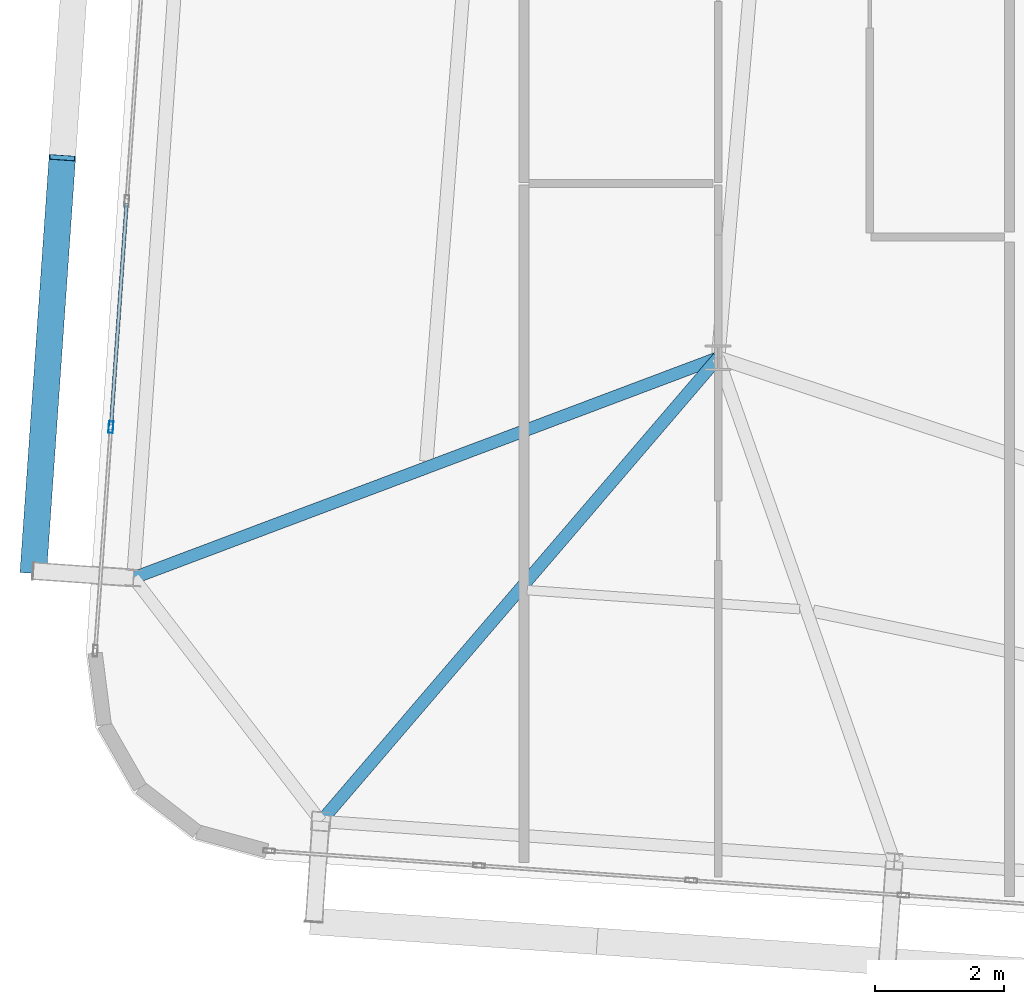
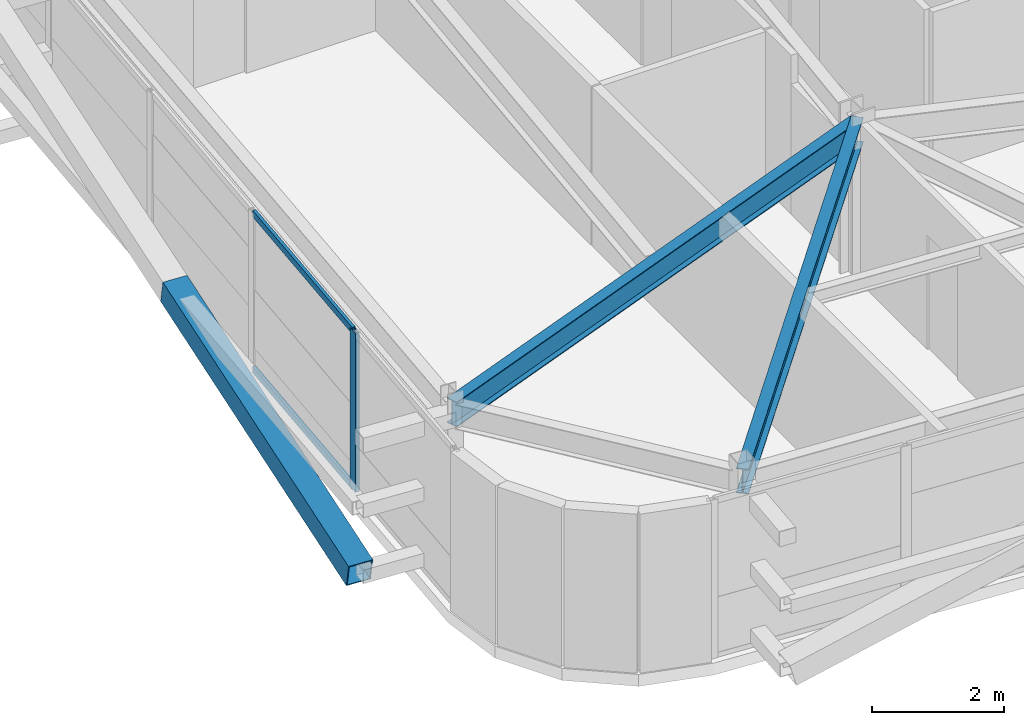
# One storey, part 8 of 47: 4 members, 2 beams, 1 element without a shape of its own.
"""IFC4 building model written with IfcOpenShell, lengths in metres."""

import ifcopenshell
import ifcopenshell.guid

model = None  # the IFC model being written
_history = None  # IfcOwnerHistory: only IFC2X3 demands one
_inside = {}  # id of a spatial element -> (the spatial element, [elements in it])
_under = {}  # id of a project, library or spatial element -> (it, [spatial elements below it])
_declared = {}  # id of a project -> (the project, [libraries it declares])
_typed = {}  # id of a type object -> (the type object, [elements of that type])
_made_of = {}  # id of a material, layer set ... -> (it, [elements and type objects made of it])


def new_model(schema):
    """Start an empty IFC model of exactly this schema.

    Asked for "IFC4X3", IfcOpenShell would pick the latest addendum, in which some entities
    have other attributes; the version numbers below select the first issue.
    IFC2X3 requires an IfcOwnerHistory on every rooted entity: one is made here for all.
    """
    global model, _history
    if schema == "IFC4X3":
        model = ifcopenshell.file(schema_version=(4, 3, 0, 0))
    else:
        model = ifcopenshell.file(schema=schema)
    _inside.clear()
    _under.clear()
    _declared.clear()
    _typed.clear()
    _made_of.clear()
    _history = None
    if model.schema == "IFC2X3":
        org = make("IfcOrganization", Name="unknown")
        user = make(
            "IfcPersonAndOrganization",
            ThePerson=make("IfcPerson", FamilyName="unknown"),
            TheOrganization=org,
        )
        app = make(
            "IfcApplication",
            ApplicationDeveloper=org,
            Version="unknown",
            ApplicationFullName="unknown",
            ApplicationIdentifier="unknown",
        )
        _history = make(
            "IfcOwnerHistory",
            OwningUser=user,
            OwningApplication=app,
            ChangeAction="ADDED",
            CreationDate=0,
        )
    return model


def make(cls, **values):
    """One entity of the class cls with the attributes given. An attribute that is None is left unset."""
    return model.create_entity(
        cls, **{name: value for name, value in values.items() if value is not None}
    )


def rooted(cls, **values):
    """An entity with a GlobalId (a new one), such as an element, a storey or a relation."""
    return make(cls, GlobalId=ifcopenshell.guid.new(), OwnerHistory=_history, **values)


def si_unit(unit_type, name, prefix=None):
    """IfcSIUnit, for example si_unit("LENGTHUNIT", "METRE", prefix="MILLI")."""
    return make("IfcSIUnit", UnitType=unit_type, Prefix=prefix, Name=name)


def assignment(units):
    """IfcUnitAssignment: the units of a project."""
    return None if units is None else make("IfcUnitAssignment", Units=units)


def point(xyz):
    """IfcCartesianPoint."""
    return None if xyz is None else make("IfcCartesianPoint", Coordinates=xyz)


def direction(xyz):
    """IfcDirection."""
    return None if xyz is None else make("IfcDirection", DirectionRatios=xyz)


def frame(location, z_axis=None, x_axis=None):
    """IfcAxis2Placement3D, a coordinate frame: its origin and axes. An axis left out is left unset."""
    return make(
        "IfcAxis2Placement3D",
        Location=point(location),
        Axis=direction(z_axis),
        RefDirection=direction(x_axis),
    )


def frame_2d(location, x_axis=None):
    """IfcAxis2Placement2D, a coordinate frame in the plane: its origin and x axis."""
    return make(
        "IfcAxis2Placement2D", Location=point(location), RefDirection=direction(x_axis)
    )


def origin():
    """The frame at (0, 0, 0) with its axes left unset."""
    return frame((0.0, 0.0, 0.0))


def origin_2d():
    """The frame at (0, 0) in the plane with its x axis left unset."""
    return frame_2d((0.0, 0.0))


def place(relative_to, where):
    """IfcLocalPlacement: puts the frame where relative to a parent placement (None: the world)."""
    return make(
        "IfcLocalPlacement", PlacementRelTo=relative_to, RelativePlacement=where
    )


def context(
    kind, dimensions, precision=None, world=None, true_north=None, identifier=None
):
    """IfcGeometricRepresentationContext, for example the 3D "Model" context."""
    return make(
        "IfcGeometricRepresentationContext",
        ContextIdentifier=identifier,
        ContextType=kind,
        CoordinateSpaceDimension=dimensions,
        Precision=precision,
        WorldCoordinateSystem=world,
        TrueNorth=true_north,
    )


def subcontext(parent, identifier, kind, view, scale=None):
    """IfcGeometricRepresentationSubContext, for example "Body" below "Model"."""
    return make(
        "IfcGeometricRepresentationSubContext",
        ContextIdentifier=identifier,
        ContextType=kind,
        ParentContext=parent,
        TargetScale=scale,
        TargetView=view,
    )


def project(units=None, contexts=None):
    """IfcProject with its units and contexts."""
    return rooted(
        "IfcProject",
        Name="project",
        RepresentationContexts=contexts,
        UnitsInContext=assignment(units),
    )


def spatial(cls, under=None, at=None, **own):
    """A site, building, storey or space (cls), placed at a placement, below another one or the project."""
    s = rooted(cls, ObjectPlacement=at, **own)
    if under is not None:
        _under.setdefault(under.id(), (under, []))[1].append(s)
    return s


def profile(cls, at=None, kind="AREA", **sizes):
    """A parametric profile (cls). Its sizes go by their IFC names, for example OverallWidth=200.0."""
    return make(cls, ProfileType=kind, Position=at, **sizes)


def hollow_rectangle(**sizes):
    """IfcRectangleHollowProfileDef."""
    return profile("IfcRectangleHollowProfileDef", **sizes)


def i_section(**sizes):
    """IfcIShapeProfileDef."""
    return profile("IfcIShapeProfileDef", **sizes)


def extrude(swept, where, along, depth):
    """IfcExtrudedAreaSolid: the profile swept, set in the frame where, extruded along a direction by depth."""
    return make(
        "IfcExtrudedAreaSolid",
        SweptArea=swept,
        Position=where,
        ExtrudedDirection=direction(along),
        Depth=depth,
    )


def shape(context_of_items, identifier, shape_type, items):
    """IfcShapeRepresentation: the items that make up one representation, for example the "Body"."""
    return make(
        "IfcShapeRepresentation",
        ContextOfItems=context_of_items,
        RepresentationIdentifier=identifier,
        RepresentationType=shape_type,
        Items=items,
    )


def source(mapping_origin, context_of_items, identifier, shape_type, items):
    """IfcRepresentationMap: a shape defined once, which mapped items show again and again."""
    return make(
        "IfcRepresentationMap",
        MappingOrigin=mapping_origin,
        MappedRepresentation=shape(context_of_items, identifier, shape_type, items),
    )


def transform(
    local_origin,
    x_axis=None,
    y_axis=None,
    z_axis=None,
    scale=None,
    scale2=None,
    scale3=None,
    uniform=True,
):
    """IfcCartesianTransformationOperator3D, or its non-uniform kind. x_axis, y_axis, z_axis: its Axis1, 2, 3."""
    if uniform:
        return make(
            "IfcCartesianTransformationOperator3D",
            Axis1=direction(x_axis),
            Axis2=direction(y_axis),
            LocalOrigin=point(local_origin),
            Scale=scale,
            Axis3=direction(z_axis),
        )
    return make(
        "IfcCartesianTransformationOperator3DnonUniform",
        Axis1=direction(x_axis),
        Axis2=direction(y_axis),
        LocalOrigin=point(local_origin),
        Scale=scale,
        Axis3=direction(z_axis),
        Scale2=scale2,
        Scale3=scale3,
    )


def mapped(mapping_source, mapping_target):
    """IfcMappedItem: shows the shape of a source again, moved by a transform."""
    return make(
        "IfcMappedItem", MappingSource=mapping_source, MappingTarget=mapping_target
    )


def material(Name=None, Category=None):
    """IfcMaterial."""
    return make("IfcMaterial", Name=Name, Category=Category)


def layer(
    of_material, thickness, ventilated=None, Name=None, Category=None, Priority=None
):
    """IfcMaterialLayer: one layer of a wall or slab, of a material (None: an air gap)."""
    return make(
        "IfcMaterialLayer",
        Material=of_material,
        LayerThickness=thickness,
        IsVentilated=ventilated,
        Name=Name,
        Category=Category,
        Priority=Priority,
    )


def layer_set(layers, Name=None):
    """IfcMaterialLayerSet."""
    return make("IfcMaterialLayerSet", MaterialLayers=layers, LayerSetName=Name)


def material_profile(
    of_material, cross_section, Name=None, Category=None, Priority=None
):
    """IfcMaterialProfile: a cross section and its material."""
    return make(
        "IfcMaterialProfile",
        Name=Name,
        Material=of_material,
        Profile=cross_section,
        Priority=Priority,
        Category=Category,
    )


def profile_set(profiles, Name=None, composite=None):
    """IfcMaterialProfileSet."""
    return make(
        "IfcMaterialProfileSet",
        Name=Name,
        MaterialProfiles=profiles,
        CompositeProfile=composite,
    )


def made_of(thing, what):
    """Note that an element or type object is made of a material, layer set ...; save() writes the relation."""
    if what is not None:
        _made_of.setdefault(what.id(), (what, []))[1].append(thing)
    return thing


def type_object(cls, material=None, **own):
    """A type object (cls), such as IfcWallType, which elements share."""
    return made_of(rooted(cls, **own), material)


def element(
    cls,
    number,
    at=None,
    inside=None,
    cuts=None,
    type_object=None,
    material=None,
    context=None,
    identifier="Body",
    shape_type=None,
    held_by="IfcProductDefinitionShape",
    body=None,
    shapes=None,
    **own,
):
    """One element of the class cls, such as IfcWall. Its Tag is "e" and its number.

    at: its placement. inside: the storey or other place that contains it. cuts: it is an
    opening in that element (IfcRelVoidsElement). A single representation is given by context,
    identifier, shape_type and body (its items); several are given by shapes. held_by: the class
    of the entity that holds the representations. save() writes the other relations.
    """
    e = rooted(cls, Tag="e%d" % number, ObjectPlacement=at, **own)
    if body is not None:
        shapes = [shape(context, identifier, shape_type, body)]
    if shapes is not None:
        e.Representation = make(held_by, Representations=shapes)
    if inside is not None:
        _inside.setdefault(inside.id(), (inside, []))[1].append(e)
    if cuts is not None:
        rooted(
            "IfcRelVoidsElement", RelatingBuildingElement=cuts, RelatedOpeningElement=e
        )
    if type_object is not None:
        _typed.setdefault(type_object.id(), (type_object, []))[1].append(e)
    return made_of(e, material)


def aggregate(whole, parts):
    """IfcRelAggregates: a whole, such as a stair, and the parts it consists of."""
    return rooted("IfcRelAggregates", RelatingObject=whole, RelatedObjects=parts)


def save(model, path):
    """Write the relations noted so far, then the file.

    IfcRelAggregates (storeys below a building ...), IfcRelContainedInSpatialStructure (elements
    in a storey), IfcRelDefinesByType, IfcRelAssociatesMaterial and IfcRelDeclares: one each for
    every whole, place, type object, material and project.
    """
    for whole, parts in _under.values():
        aggregate(whole, parts)
    for where, things in _inside.values():
        rooted(
            "IfcRelContainedInSpatialStructure",
            RelatedElements=things,
            RelatingStructure=where,
        )
    for kind, things in _typed.values():
        rooted("IfcRelDefinesByType", RelatedObjects=things, RelatingType=kind)
    for what, things in _made_of.values():
        rooted("IfcRelAssociatesMaterial", RelatedObjects=things, RelatingMaterial=what)
    for by, libraries in _declared.values():
        rooted("IfcRelDeclares", RelatingContext=by, RelatedDefinitions=libraries)
    model.write(path)


model = new_model("IFC4")

# Units and contexts
model_context = context("Model", 3, precision=1e-05, world=origin(), true_north=direction((0.0, 1.0)))
body_context = subcontext(model_context, "Body", "Model", "MODEL_VIEW")
ifc_project = project(units=[si_unit("LENGTHUNIT", "METRE"), si_unit("AREAUNIT", "SQUARE_METRE"), si_unit("VOLUMEUNIT", "CUBIC_METRE"), si_unit("PLANEANGLEUNIT", "RADIAN"), si_unit("MASSUNIT", "GRAM", prefix="KILO")], contexts=[model_context])

# Site, building, storey
site_placement = place(None, origin())
site = spatial("IfcSite", under=ifc_project, at=site_placement, CompositionType="ELEMENT")
building_placement = place(site_placement, origin())
building = spatial("IfcBuilding", under=site, at=building_placement, Name="Taldren Reach Tower", CompositionType="ELEMENT")
storey_placement = place(building_placement, frame((0.0, 0.0, 139.300048828125)))
storey = spatial("IfcBuildingStorey", under=building, at=storey_placement, Name="L42", CompositionType="ELEMENT", Elevation=139.300048828125)

# Beams
ifc_material_1 = material(Name="Steel Gr 350 (350PLUS)", Category="steel")
ifc_material_profile_1 = material_profile(ifc_material_1, i_section(OverallWidth=0.19091796875, OverallDepth=0.4599609375, WebThickness=0.010009765625, FlangeThickness=0.01611328125, at=origin_2d()), Name="460UB82.1")
ifc_profile_set_1 = profile_set([ifc_material_profile_1], Name="Steel Gr 350 (350PLUS)")
beam_type = type_object("IfcBeamType", Name="BM-UB460A", PredefinedType="BEAM", material=ifc_profile_set_1)
shared_shape_1 = source(origin(), body_context, "Body", "SweptSolid", [
    extrude(i_section(OverallWidth=0.19091796875, OverallDepth=0.4599609375, WebThickness=0.010009765625, FlangeThickness=0.01611328125, at=origin_2d()), origin(), (0.0, 0.0, 1.0), 9.43115234375),
])
beam_1_placement = place(storey_placement, frame((18.0, 12.5, 2.699951171875), z_axis=(-0.650665584965, -0.759364402999, 0.0), x_axis=(0.759364402999, -0.650665584965, 0.0)))
element("IfcBeam", 1, at=beam_1_placement, inside=storey, type_object=beam_type, Name="Primary floor girder B3-S1 L42", PredefinedType="BEAM", context=body_context, shape_type="MappedRepresentation", body=[
    mapped(shared_shape_1, transform((0.0, 0.0, 0.0), scale=1.0)),
])
shared_shape_2 = source(origin(), body_context, "Body", "SweptSolid", [
    extrude(i_section(OverallWidth=0.19091796875, OverallDepth=0.4599609375, WebThickness=0.010009765625, FlangeThickness=0.01611328125, at=origin_2d()), origin(), (0.0, 0.0, 1.0), 9.650146484375),
])
beam_2_placement = place(storey_placement, frame((18.0, 12.5, 2.699951171875), z_axis=(-0.935862573906, -0.352365212191, 0.0), x_axis=(0.352365212191, -0.935862573906, 0.0)))
element("IfcBeam", 2, at=beam_2_placement, inside=storey, type_object=beam_type, Name="Primary floor girder B3-W1 L42", PredefinedType="BEAM", context=body_context, shape_type="MappedRepresentation", body=[
    mapped(shared_shape_2, transform((0.0, 0.0, 0.0), scale=1.0)),
])

# Member
ifc_material_2 = material(Name="Steel Gr 450 (C450L0)", Category="steel")
ifc_material_profile_2 = material_profile(ifc_material_2, hollow_rectangle(XDim=0.409912109375, YDim=0.409912109375, WallThickness=0.01611328125, at=origin_2d()), Name="410x410x16.0SHS")
ifc_profile_set_2 = profile_set([ifc_material_profile_2], Name="Steel Gr 450 (C450L0)")
member_type_1 = type_object("IfcMemberType", Name="MB-EXO406", PredefinedType="BRACE", material=ifc_profile_set_2)
shared_shape_3 = source(origin(), body_context, "Body", "SweptSolid", [
    extrude(hollow_rectangle(XDim=0.409912109375, YDim=0.409912109375, WallThickness=0.01611328125, at=origin_2d()), origin(), (0.0, 0.0, 1.0), 6.514404296875),
])
member_1_placement = place(storey_placement, frame((7.422607421875, 9.20751953125, 0.219970703125), z_axis=(0.068545126831, 0.980056649402, 0.186522195865), x_axis=(-0.997563137195, 0.069769529958, 0.0)))
element("IfcMember", 3, at=member_1_placement, inside=storey, type_object=member_type_1, Name="Exoskeleton Diagrid Brace B3-W1 L42", PredefinedType="BRACE", context=body_context, shape_type="MappedRepresentation", body=[
    mapped(shared_shape_3, transform((0.0, 0.0, 0.0), scale=1.0)),
])

# Curtain wall, members
ifc_material_3 = material(Name="Aluminium and Low-E Glass Unitised System", Category="aluminium")
ifc_layer = layer(ifc_material_3, 0.159912109375)
ifc_layer_set = layer_set([ifc_layer], Name="Aluminium and Low-E Glass Unitised System")
curtain_wall_type = type_object("IfcCurtainWallType", Name="CW-SYS-4", PredefinedType="NOTDEFINED", material=ifc_layer_set)
curtain_wall_placement = place(storey_placement, origin())
curtain_wall = element("IfcCurtainWall", 4, at=curtain_wall_placement, inside=storey, type_object=curtain_wall_type, Name="Unitised curtain wall CW-L42-W", PredefinedType="NOTDEFINED")
ifc_material_4 = material(Name="Anodised Aluminium 6063-T6", Category="aluminium")
ifc_material_profile_3 = material_profile(ifc_material_4, hollow_rectangle(XDim=0.070068359375, YDim=0.179931640625, WallThickness=0.00390625, at=origin_2d()), Name="ALU-180x70x4RHS")
ifc_profile_set_3 = profile_set([ifc_material_profile_3], Name="Anodised Aluminium 6063-T6")
member_type_2 = type_object("IfcMemberType", Name="CW-MUL-180", PredefinedType="MULLION", material=ifc_profile_set_3)
shared_shape_4 = source(origin(), body_context, "Body", "SweptSolid", [
    extrude(hollow_rectangle(XDim=0.070068359375, YDim=0.179931640625, WallThickness=0.00390625, at=origin_2d()), origin(), (0.0, 0.0, 1.0), 2.929931640625),
])
member_2_placement = place(storey_placement, frame((8.62060546875, 11.429443359375, 0.0), z_axis=(0.0, 0.0, 1.0), x_axis=(0.997564052812, -0.069756437251, 0.0)))
member_2 = element("IfcMember", 5, at=member_2_placement, type_object=member_type_2, Name="CW-4 mullion 8", PredefinedType="MULLION", context=body_context, shape_type="MappedRepresentation", body=[
    mapped(shared_shape_4, transform((0.0, 0.0, 0.0), scale=1.0)),
])
ifc_material_profile_4 = material_profile(ifc_material_4, hollow_rectangle(XDim=0.054931640625, YDim=0.1201171875, WallThickness=0.0029296875, at=origin_2d()), Name="ALU-120x55x3RHS")
ifc_profile_set_4 = profile_set([ifc_material_profile_4], Name="Anodised Aluminium 6063-T6")
member_type_3 = type_object("IfcMemberType", Name="CW-TRN-135", PredefinedType="USERDEFINED", material=ifc_profile_set_4)
shared_shape_5 = source(origin(), body_context, "Body", "SweptSolid", [
    extrude(hollow_rectangle(XDim=0.054931640625, YDim=0.1201171875, WallThickness=0.0029296875, at=origin_2d()), origin(), (0.0, 0.0, 1.0), 3.429931640625),
])
member_3_placement = place(storey_placement, frame((8.8623046875, 14.885986328125, 0.02734375), z_axis=(-0.069754754695, -0.997564170466, 0.0), x_axis=(0.997564170466, -0.069754754695, 0.0)))
member_3 = element("IfcMember", 6, at=member_3_placement, type_object=member_type_3, Name="CW-4 transom 7.1", ObjectType="TRANSOM", PredefinedType="USERDEFINED", context=body_context, shape_type="MappedRepresentation", body=[
    mapped(shared_shape_5, transform((0.0, 0.0, 0.0), scale=1.0)),
])
member_4_placement = place(storey_placement, frame((8.8623046875, 14.885986328125, 2.90234375), z_axis=(-0.069754754695, -0.997564170466, 0.0), x_axis=(0.997564170466, -0.069754754695, 0.0)))
member_4 = element("IfcMember", 7, at=member_4_placement, type_object=member_type_3, Name="CW-4 transom 7.2", ObjectType="TRANSOM", PredefinedType="USERDEFINED", context=body_context, shape_type="MappedRepresentation", body=[
    mapped(shared_shape_5, transform((0.0, 0.0, 0.0), scale=1.0)),
])
aggregate(curtain_wall, [member_2, member_3, member_4])

save(model, "model.ifc")
